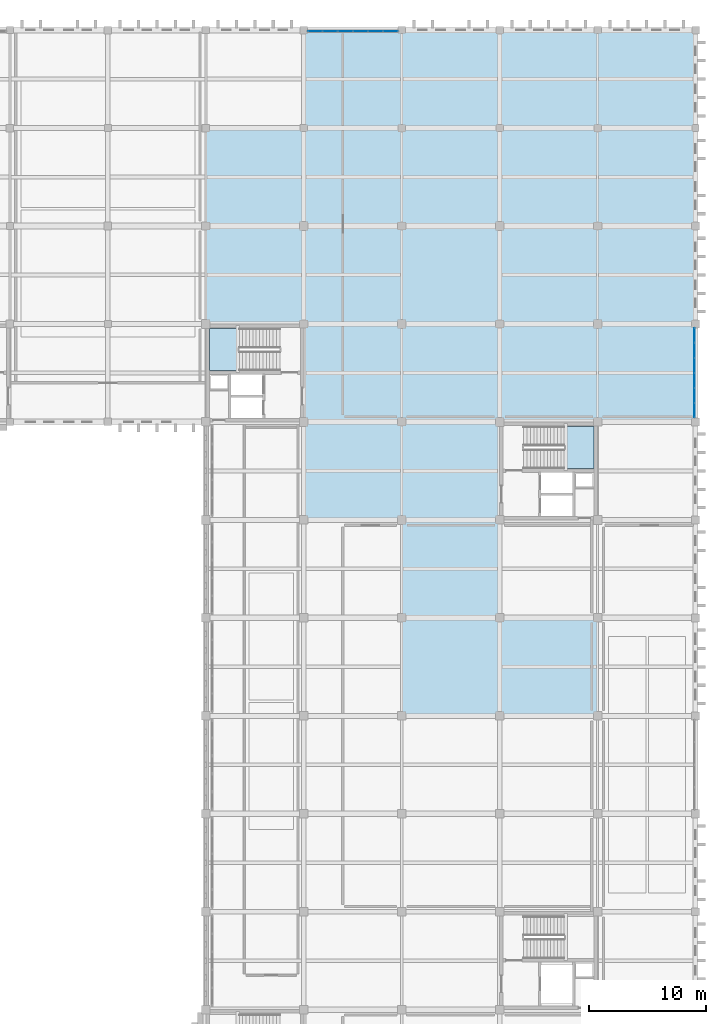
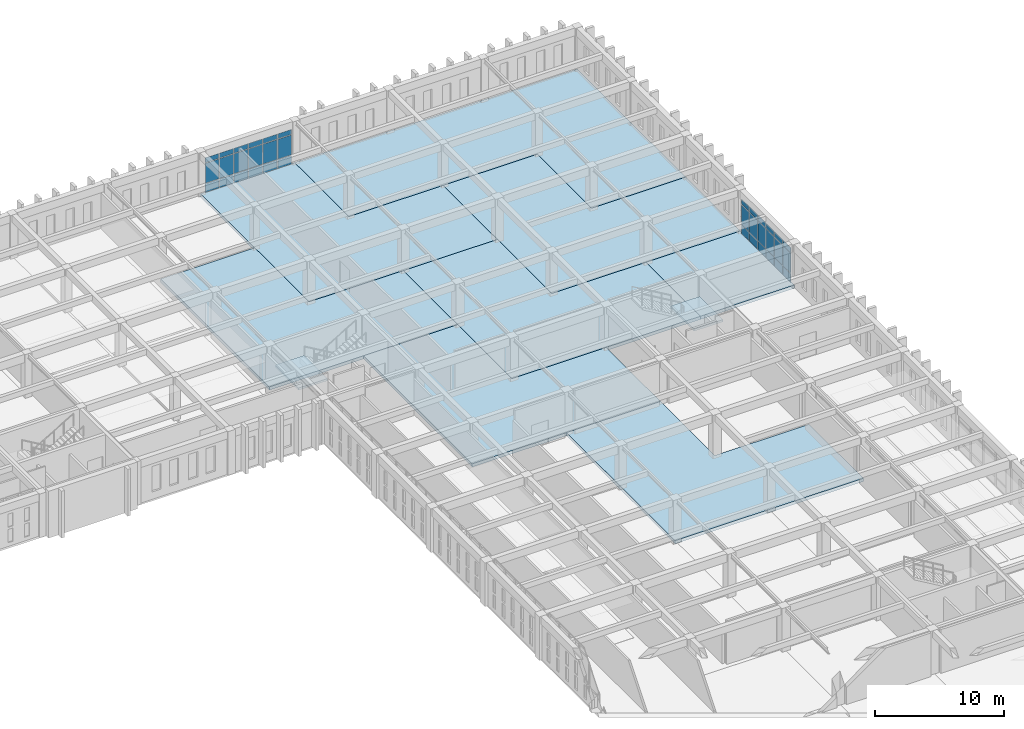
# One storey, part 129 of 192: 36 plates, 10 slabs, 4 elements without a shape of their own.
"""IFC4 building model written with IfcOpenShell, lengths in metres."""

from ifc_helpers import new_model, si_unit, direction, frame, origin, origin_2d, place, context, subcontext, project, spatial, polyline, rectangle, outline, extrude, material, layer, layer_set, type_object, element, aggregate, save


model = new_model("IFC4")

# Units and contexts
model_context = context("Model", 3, precision=1e-05, world=origin(), true_north=direction((0.0, 1.0)))
body_context = subcontext(model_context, "Body", "Model", "MODEL_VIEW")
ifc_project = project(units=[si_unit("LENGTHUNIT", "METRE"), si_unit("AREAUNIT", "SQUARE_METRE"), si_unit("VOLUMEUNIT", "CUBIC_METRE"), si_unit("PLANEANGLEUNIT", "RADIAN"), si_unit("MASSUNIT", "GRAM", prefix="KILO")], contexts=[model_context])

# Site, building, storey
site_placement = place(None, origin())
site = spatial("IfcSite", under=ifc_project, at=site_placement, CompositionType="ELEMENT")
building_placement = place(site_placement, origin())
building = spatial("IfcBuilding", under=site, at=building_placement, Name="Kveldsbrygga Polytechnic", CompositionType="ELEMENT")
storey_placement = place(building_placement, frame((0.0, 0.0, 5.43994140625)))
storey = spatial("IfcBuildingStorey", under=building, at=storey_placement, Name="L01", CompositionType="ELEMENT", Elevation=5.43994140625)

# Curtain wall, plates
ifc_material_1 = material(Name="Anodised aluminium AW-6060", Category="aluminium")
ifc_layer_1 = layer(ifc_material_1, 0.179931640625)
ifc_layer_set_1 = layer_set([ifc_layer_1], Name="Anodised aluminium AW-6060")
curtain_wall_type = type_object("IfcCurtainWallType", Name="CW-CONC-A", PredefinedType="USERDEFINED", material=ifc_layer_set_1)
curtain_wall_1_placement = place(storey_placement, origin())
curtain_wall_1 = element("IfcCurtainWall", 1, at=curtain_wall_1_placement, inside=storey, type_object=curtain_wall_type, Name="Curtain Wall CW-L01-X-16-14", ObjectType="UNITISED CURTAIN WALL", PredefinedType="USERDEFINED")
ifc_material_2 = material(Name="Insulated triple low-E glass", Category="glass")
ifc_layer_2 = layer(ifc_material_2, 0.035888671875)
ifc_layer_set_2 = layer_set([ifc_layer_2], Name="Insulated triple low-E glass")
plate_type = type_object("IfcPlateType", Name="CW-PAN-VIS36", PredefinedType="CURTAIN_PANEL", material=ifc_layer_set_2)
plate_1_placement = place(storey_placement, frame((135.37451171875, 117.5, 0.06005859375), z_axis=(0.0, 0.0, 1.0), x_axis=(1.0, 0.0, 0.0)))
plate_1 = element("IfcPlate", 2, at=plate_1_placement, type_object=plate_type, Name="CW-01 panel 1.1", PredefinedType="CURTAIN_PANEL", context=body_context, shape_type="SweptSolid", body=[
    extrude(rectangle(XDim=1.209228515625, YDim=0.035888671875, at=origin_2d()), origin(), (0.0, 0.0, 1.0), 0.81005859375),
])
plate_2_placement = place(storey_placement, frame((135.37451171875, 117.5, 0.929931640625), z_axis=(0.0, 0.0, 1.0), x_axis=(1.0, 0.0, 0.0)))
plate_2 = element("IfcPlate", 3, at=plate_2_placement, type_object=plate_type, Name="CW-01 panel 1.2", PredefinedType="CURTAIN_PANEL", context=body_context, shape_type="SweptSolid", body=[
    extrude(rectangle(XDim=1.209228515625, YDim=0.035888671875, at=origin_2d()), origin(), (0.0, 0.0, 1.0), 1.8701171875),
])
plate_3_placement = place(storey_placement, frame((135.37451171875, 117.5, 2.860107421875), z_axis=(0.0, 0.0, 1.0), x_axis=(1.0, 0.0, 0.0)))
plate_3 = element("IfcPlate", 4, at=plate_3_placement, type_object=plate_type, Name="CW-01 panel 1.3", PredefinedType="CURTAIN_PANEL", context=body_context, shape_type="SweptSolid", body=[
    extrude(rectangle(XDim=1.209228515625, YDim=0.035888671875, at=origin_2d()), origin(), (0.0, 0.0, 1.0), 0.4599609375),
])
plate_4_placement = place(storey_placement, frame((136.65869140625, 117.5, 0.06005859375), z_axis=(0.0, 0.0, 1.0), x_axis=(1.0, 0.0, 0.0)))
plate_4 = element("IfcPlate", 5, at=plate_4_placement, type_object=plate_type, Name="CW-01 panel 2.1", PredefinedType="CURTAIN_PANEL", context=body_context, shape_type="SweptSolid", body=[
    extrude(rectangle(XDim=1.2392578125, YDim=0.035888671875, at=origin_2d()), origin(), (0.0, 0.0, 1.0), 0.81005859375),
])
plate_5_placement = place(storey_placement, frame((136.65869140625, 117.5, 0.929931640625), z_axis=(0.0, 0.0, 1.0), x_axis=(1.0, 0.0, 0.0)))
plate_5 = element("IfcPlate", 6, at=plate_5_placement, type_object=plate_type, Name="CW-01 panel 2.2", PredefinedType="CURTAIN_PANEL", context=body_context, shape_type="SweptSolid", body=[
    extrude(rectangle(XDim=1.2392578125, YDim=0.035888671875, at=origin_2d()), origin(), (0.0, 0.0, 1.0), 1.8701171875),
])
plate_6_placement = place(storey_placement, frame((136.65869140625, 117.5, 2.860107421875), z_axis=(0.0, 0.0, 1.0), x_axis=(1.0, 0.0, 0.0)))
plate_6 = element("IfcPlate", 7, at=plate_6_placement, type_object=plate_type, Name="CW-01 panel 2.3", PredefinedType="CURTAIN_PANEL", context=body_context, shape_type="SweptSolid", body=[
    extrude(rectangle(XDim=1.2392578125, YDim=0.035888671875, at=origin_2d()), origin(), (0.0, 0.0, 1.0), 0.4599609375),
])
plate_7_placement = place(storey_placement, frame((137.9580078125, 117.5, 0.06005859375), z_axis=(0.0, 0.0, 1.0), x_axis=(1.0, 0.0, 0.0)))
plate_7 = element("IfcPlate", 8, at=plate_7_placement, type_object=plate_type, Name="CW-01 panel 3.1", PredefinedType="CURTAIN_PANEL", context=body_context, shape_type="SweptSolid", body=[
    extrude(rectangle(XDim=1.2392578125, YDim=0.035888671875, at=origin_2d()), origin(), (0.0, 0.0, 1.0), 0.81005859375),
])
plate_8_placement = place(storey_placement, frame((137.9580078125, 117.5, 0.929931640625), z_axis=(0.0, 0.0, 1.0), x_axis=(1.0, 0.0, 0.0)))
plate_8 = element("IfcPlate", 9, at=plate_8_placement, type_object=plate_type, Name="CW-01 panel 3.2", PredefinedType="CURTAIN_PANEL", context=body_context, shape_type="SweptSolid", body=[
    extrude(rectangle(XDim=1.2392578125, YDim=0.035888671875, at=origin_2d()), origin(), (0.0, 0.0, 1.0), 1.8701171875),
])
plate_9_placement = place(storey_placement, frame((137.9580078125, 117.5, 2.860107421875), z_axis=(0.0, 0.0, 1.0), x_axis=(1.0, 0.0, 0.0)))
plate_9 = element("IfcPlate", 10, at=plate_9_placement, type_object=plate_type, Name="CW-01 panel 3.3", PredefinedType="CURTAIN_PANEL", context=body_context, shape_type="SweptSolid", body=[
    extrude(rectangle(XDim=1.2392578125, YDim=0.035888671875, at=origin_2d()), origin(), (0.0, 0.0, 1.0), 0.4599609375),
])
plate_10_placement = place(storey_placement, frame((139.257080078125, 117.5, 0.06005859375), z_axis=(0.0, 0.0, 1.0), x_axis=(1.0, 0.0, 0.0)))
plate_10 = element("IfcPlate", 11, at=plate_10_placement, type_object=plate_type, Name="CW-01 panel 4.1", PredefinedType="CURTAIN_PANEL", context=body_context, shape_type="SweptSolid", body=[
    extrude(rectangle(XDim=1.2392578125, YDim=0.035888671875, at=origin_2d()), origin(), (0.0, 0.0, 1.0), 0.81005859375),
])
plate_11_placement = place(storey_placement, frame((139.257080078125, 117.5, 0.929931640625), z_axis=(0.0, 0.0, 1.0), x_axis=(1.0, 0.0, 0.0)))
plate_11 = element("IfcPlate", 12, at=plate_11_placement, type_object=plate_type, Name="CW-01 panel 4.2", PredefinedType="CURTAIN_PANEL", context=body_context, shape_type="SweptSolid", body=[
    extrude(rectangle(XDim=1.2392578125, YDim=0.035888671875, at=origin_2d()), origin(), (0.0, 0.0, 1.0), 1.8701171875),
])
plate_12_placement = place(storey_placement, frame((139.257080078125, 117.5, 2.860107421875), z_axis=(0.0, 0.0, 1.0), x_axis=(1.0, 0.0, 0.0)))
plate_12 = element("IfcPlate", 13, at=plate_12_placement, type_object=plate_type, Name="CW-01 panel 4.3", PredefinedType="CURTAIN_PANEL", context=body_context, shape_type="SweptSolid", body=[
    extrude(rectangle(XDim=1.2392578125, YDim=0.035888671875, at=origin_2d()), origin(), (0.0, 0.0, 1.0), 0.4599609375),
])
plate_13_placement = place(storey_placement, frame((140.55615234375, 117.5, 0.06005859375), z_axis=(0.0, 0.0, 1.0), x_axis=(1.0, 0.0, 0.0)))
plate_13 = element("IfcPlate", 14, at=plate_13_placement, type_object=plate_type, Name="CW-01 panel 5.1", PredefinedType="CURTAIN_PANEL", context=body_context, shape_type="SweptSolid", body=[
    extrude(rectangle(XDim=1.2392578125, YDim=0.035888671875, at=origin_2d()), origin(), (0.0, 0.0, 1.0), 0.81005859375),
])
plate_14_placement = place(storey_placement, frame((140.55615234375, 117.5, 0.929931640625), z_axis=(0.0, 0.0, 1.0), x_axis=(1.0, 0.0, 0.0)))
plate_14 = element("IfcPlate", 15, at=plate_14_placement, type_object=plate_type, Name="CW-01 panel 5.2", PredefinedType="CURTAIN_PANEL", context=body_context, shape_type="SweptSolid", body=[
    extrude(rectangle(XDim=1.2392578125, YDim=0.035888671875, at=origin_2d()), origin(), (0.0, 0.0, 1.0), 1.8701171875),
])
plate_15_placement = place(storey_placement, frame((140.55615234375, 117.5, 2.860107421875), z_axis=(0.0, 0.0, 1.0), x_axis=(1.0, 0.0, 0.0)))
plate_15 = element("IfcPlate", 16, at=plate_15_placement, type_object=plate_type, Name="CW-01 panel 5.3", PredefinedType="CURTAIN_PANEL", context=body_context, shape_type="SweptSolid", body=[
    extrude(rectangle(XDim=1.2392578125, YDim=0.035888671875, at=origin_2d()), origin(), (0.0, 0.0, 1.0), 0.4599609375),
])
plate_16_placement = place(storey_placement, frame((141.84033203125, 117.5, 0.06005859375), z_axis=(0.0, 0.0, 1.0), x_axis=(1.0, 0.0, 0.0)))
plate_16 = element("IfcPlate", 17, at=plate_16_placement, type_object=plate_type, Name="CW-01 panel 6.1", PredefinedType="CURTAIN_PANEL", context=body_context, shape_type="SweptSolid", body=[
    extrude(rectangle(XDim=1.209228515625, YDim=0.035888671875, at=origin_2d()), origin(), (0.0, 0.0, 1.0), 0.81005859375),
])
plate_17_placement = place(storey_placement, frame((141.84033203125, 117.5, 0.929931640625), z_axis=(0.0, 0.0, 1.0), x_axis=(1.0, 0.0, 0.0)))
plate_17 = element("IfcPlate", 18, at=plate_17_placement, type_object=plate_type, Name="CW-01 panel 6.2", PredefinedType="CURTAIN_PANEL", context=body_context, shape_type="SweptSolid", body=[
    extrude(rectangle(XDim=1.209228515625, YDim=0.035888671875, at=origin_2d()), origin(), (0.0, 0.0, 1.0), 1.8701171875),
])
plate_18_placement = place(storey_placement, frame((141.84033203125, 117.5, 2.860107421875), z_axis=(0.0, 0.0, 1.0), x_axis=(1.0, 0.0, 0.0)))
plate_18 = element("IfcPlate", 19, at=plate_18_placement, type_object=plate_type, Name="CW-01 panel 6.3", PredefinedType="CURTAIN_PANEL", context=body_context, shape_type="SweptSolid", body=[
    extrude(rectangle(XDim=1.209228515625, YDim=0.035888671875, at=origin_2d()), origin(), (0.0, 0.0, 1.0), 0.4599609375),
])
aggregate(curtain_wall_1, [plate_1, plate_2, plate_3, plate_4, plate_5, plate_6, plate_7, plate_8, plate_9, plate_10, plate_11, plate_12, plate_13, plate_14, plate_15, plate_16, plate_17, plate_18])

curtain_wall_2_placement = place(storey_placement, origin())
curtain_wall_2 = element("IfcCurtainWall", 20, at=curtain_wall_2_placement, inside=storey, type_object=curtain_wall_type, Name="Curtain Wall CW-L01-Y-20-10", ObjectType="UNITISED CURTAIN WALL", PredefinedType="USERDEFINED")
plate_19_placement = place(storey_placement, frame((167.89990234375, 84.9951171875, 0.06005859375), z_axis=(0.0, 0.0, 1.0), x_axis=(0.0, 1.0, 0.0)))
plate_19 = element("IfcPlate", 21, at=plate_19_placement, type_object=plate_type, Name="CW-01 panel 1.1", PredefinedType="CURTAIN_PANEL", context=body_context, shape_type="SweptSolid", body=[
    extrude(rectangle(XDim=1.199951171875, YDim=0.035888671875, at=origin_2d()), origin(), (0.0, 0.0, 1.0), 0.81005859375),
])
plate_20_placement = place(storey_placement, frame((167.89990234375, 84.9951171875, 0.93017578125), z_axis=(0.0, 0.0, 1.0), x_axis=(0.0, 1.0, 0.0)))
plate_20 = element("IfcPlate", 22, at=plate_20_placement, type_object=plate_type, Name="CW-01 panel 1.2", PredefinedType="CURTAIN_PANEL", context=body_context, shape_type="SweptSolid", body=[
    extrude(rectangle(XDim=1.199951171875, YDim=0.035888671875, at=origin_2d()), origin(), (0.0, 0.0, 1.0), 1.860107421875),
])
plate_21_placement = place(storey_placement, frame((167.89990234375, 84.9951171875, 2.85009765625), z_axis=(0.0, 0.0, 1.0), x_axis=(0.0, 1.0, 0.0)))
plate_21 = element("IfcPlate", 23, at=plate_21_placement, type_object=plate_type, Name="CW-01 panel 1.3", PredefinedType="CURTAIN_PANEL", context=body_context, shape_type="SweptSolid", body=[
    extrude(rectangle(XDim=1.199951171875, YDim=0.035888671875, at=origin_2d()), origin(), (0.0, 0.0, 1.0), 0.4599609375),
])
plate_22_placement = place(storey_placement, frame((167.89990234375, 86.27001953125, 0.06005859375), z_axis=(0.0, 0.0, 1.0), x_axis=(0.0, 1.0, 0.0)))
plate_22 = element("IfcPlate", 24, at=plate_22_placement, type_object=plate_type, Name="CW-01 panel 2.1", PredefinedType="CURTAIN_PANEL", context=body_context, shape_type="SweptSolid", body=[
    extrude(rectangle(XDim=1.22998046875, YDim=0.035888671875, at=origin_2d()), origin(), (0.0, 0.0, 1.0), 0.81005859375),
])
plate_23_placement = place(storey_placement, frame((167.89990234375, 86.27001953125, 0.93017578125), z_axis=(0.0, 0.0, 1.0), x_axis=(0.0, 1.0, 0.0)))
plate_23 = element("IfcPlate", 25, at=plate_23_placement, type_object=plate_type, Name="CW-01 panel 2.2", PredefinedType="CURTAIN_PANEL", context=body_context, shape_type="SweptSolid", body=[
    extrude(rectangle(XDim=1.22998046875, YDim=0.035888671875, at=origin_2d()), origin(), (0.0, 0.0, 1.0), 1.860107421875),
])
plate_24_placement = place(storey_placement, frame((167.89990234375, 86.27001953125, 2.85009765625), z_axis=(0.0, 0.0, 1.0), x_axis=(0.0, 1.0, 0.0)))
plate_24 = element("IfcPlate", 26, at=plate_24_placement, type_object=plate_type, Name="CW-01 panel 2.3", PredefinedType="CURTAIN_PANEL", context=body_context, shape_type="SweptSolid", body=[
    extrude(rectangle(XDim=1.22998046875, YDim=0.035888671875, at=origin_2d()), origin(), (0.0, 0.0, 1.0), 0.4599609375),
])
plate_25_placement = place(storey_placement, frame((167.89990234375, 87.56005859375, 0.06005859375), z_axis=(0.0, 0.0, 1.0), x_axis=(0.0, 1.0, 0.0)))
plate_25 = element("IfcPlate", 27, at=plate_25_placement, type_object=plate_type, Name="CW-01 panel 3.1", PredefinedType="CURTAIN_PANEL", context=body_context, shape_type="SweptSolid", body=[
    extrude(rectangle(XDim=1.22998046875, YDim=0.035888671875, at=origin_2d()), origin(), (0.0, 0.0, 1.0), 0.81005859375),
])
plate_26_placement = place(storey_placement, frame((167.89990234375, 87.56005859375, 0.93017578125), z_axis=(0.0, 0.0, 1.0), x_axis=(0.0, 1.0, 0.0)))
plate_26 = element("IfcPlate", 28, at=plate_26_placement, type_object=plate_type, Name="CW-01 panel 3.2", PredefinedType="CURTAIN_PANEL", context=body_context, shape_type="SweptSolid", body=[
    extrude(rectangle(XDim=1.22998046875, YDim=0.035888671875, at=origin_2d()), origin(), (0.0, 0.0, 1.0), 1.860107421875),
])
plate_27_placement = place(storey_placement, frame((167.89990234375, 87.56005859375, 2.85009765625), z_axis=(0.0, 0.0, 1.0), x_axis=(0.0, 1.0, 0.0)))
plate_27 = element("IfcPlate", 29, at=plate_27_placement, type_object=plate_type, Name="CW-01 panel 3.3", PredefinedType="CURTAIN_PANEL", context=body_context, shape_type="SweptSolid", body=[
    extrude(rectangle(XDim=1.22998046875, YDim=0.035888671875, at=origin_2d()), origin(), (0.0, 0.0, 1.0), 0.4599609375),
])
plate_28_placement = place(storey_placement, frame((167.89990234375, 88.85009765625, 0.06005859375), z_axis=(0.0, 0.0, 1.0), x_axis=(0.0, 1.0, 0.0)))
plate_28 = element("IfcPlate", 30, at=plate_28_placement, type_object=plate_type, Name="CW-01 panel 4.1", PredefinedType="CURTAIN_PANEL", context=body_context, shape_type="SweptSolid", body=[
    extrude(rectangle(XDim=1.22998046875, YDim=0.035888671875, at=origin_2d()), origin(), (0.0, 0.0, 1.0), 0.81005859375),
])
plate_29_placement = place(storey_placement, frame((167.89990234375, 88.85009765625, 0.93017578125), z_axis=(0.0, 0.0, 1.0), x_axis=(0.0, 1.0, 0.0)))
plate_29 = element("IfcPlate", 31, at=plate_29_placement, type_object=plate_type, Name="CW-01 panel 4.2", PredefinedType="CURTAIN_PANEL", context=body_context, shape_type="SweptSolid", body=[
    extrude(rectangle(XDim=1.22998046875, YDim=0.035888671875, at=origin_2d()), origin(), (0.0, 0.0, 1.0), 1.860107421875),
])
plate_30_placement = place(storey_placement, frame((167.89990234375, 88.85009765625, 2.85009765625), z_axis=(0.0, 0.0, 1.0), x_axis=(0.0, 1.0, 0.0)))
plate_30 = element("IfcPlate", 32, at=plate_30_placement, type_object=plate_type, Name="CW-01 panel 4.3", PredefinedType="CURTAIN_PANEL", context=body_context, shape_type="SweptSolid", body=[
    extrude(rectangle(XDim=1.22998046875, YDim=0.035888671875, at=origin_2d()), origin(), (0.0, 0.0, 1.0), 0.4599609375),
])
plate_31_placement = place(storey_placement, frame((167.89990234375, 90.139892578125, 0.06005859375), z_axis=(0.0, 0.0, 1.0), x_axis=(0.0, 1.0, 0.0)))
plate_31 = element("IfcPlate", 33, at=plate_31_placement, type_object=plate_type, Name="CW-01 panel 5.1", PredefinedType="CURTAIN_PANEL", context=body_context, shape_type="SweptSolid", body=[
    extrude(rectangle(XDim=1.22998046875, YDim=0.035888671875, at=origin_2d()), origin(), (0.0, 0.0, 1.0), 0.81005859375),
])
plate_32_placement = place(storey_placement, frame((167.89990234375, 90.139892578125, 0.93017578125), z_axis=(0.0, 0.0, 1.0), x_axis=(0.0, 1.0, 0.0)))
plate_32 = element("IfcPlate", 34, at=plate_32_placement, type_object=plate_type, Name="CW-01 panel 5.2", PredefinedType="CURTAIN_PANEL", context=body_context, shape_type="SweptSolid", body=[
    extrude(rectangle(XDim=1.22998046875, YDim=0.035888671875, at=origin_2d()), origin(), (0.0, 0.0, 1.0), 1.860107421875),
])
plate_33_placement = place(storey_placement, frame((167.89990234375, 90.139892578125, 2.85009765625), z_axis=(0.0, 0.0, 1.0), x_axis=(0.0, 1.0, 0.0)))
plate_33 = element("IfcPlate", 35, at=plate_33_placement, type_object=plate_type, Name="CW-01 panel 5.3", PredefinedType="CURTAIN_PANEL", context=body_context, shape_type="SweptSolid", body=[
    extrude(rectangle(XDim=1.22998046875, YDim=0.035888671875, at=origin_2d()), origin(), (0.0, 0.0, 1.0), 0.4599609375),
])
plate_34_placement = place(storey_placement, frame((167.89990234375, 91.4150390625, 0.06005859375), z_axis=(0.0, 0.0, 1.0), x_axis=(0.0, 1.0, 0.0)))
plate_34 = element("IfcPlate", 36, at=plate_34_placement, type_object=plate_type, Name="CW-01 panel 6.1", PredefinedType="CURTAIN_PANEL", context=body_context, shape_type="SweptSolid", body=[
    extrude(rectangle(XDim=1.199951171875, YDim=0.035888671875, at=origin_2d()), origin(), (0.0, 0.0, 1.0), 0.81005859375),
])
plate_35_placement = place(storey_placement, frame((167.89990234375, 91.4150390625, 0.93017578125), z_axis=(0.0, 0.0, 1.0), x_axis=(0.0, 1.0, 0.0)))
plate_35 = element("IfcPlate", 37, at=plate_35_placement, type_object=plate_type, Name="CW-01 panel 6.2", PredefinedType="CURTAIN_PANEL", context=body_context, shape_type="SweptSolid", body=[
    extrude(rectangle(XDim=1.199951171875, YDim=0.035888671875, at=origin_2d()), origin(), (0.0, 0.0, 1.0), 1.860107421875),
])
plate_36_placement = place(storey_placement, frame((167.89990234375, 91.4150390625, 2.85009765625), z_axis=(0.0, 0.0, 1.0), x_axis=(0.0, 1.0, 0.0)))
plate_36 = element("IfcPlate", 38, at=plate_36_placement, type_object=plate_type, Name="CW-01 panel 6.3", PredefinedType="CURTAIN_PANEL", context=body_context, shape_type="SweptSolid", body=[
    extrude(rectangle(XDim=1.199951171875, YDim=0.035888671875, at=origin_2d()), origin(), (0.0, 0.0, 1.0), 0.4599609375),
])
aggregate(curtain_wall_2, [plate_19, plate_20, plate_21, plate_22, plate_23, plate_24, plate_25, plate_26, plate_27, plate_28, plate_29, plate_30, plate_31, plate_32, plate_33, plate_34, plate_35, plate_36])

# Slabs
ifc_material_3 = material(Name="Concrete C35/45", Category="concrete")
ifc_layer_3 = layer(ifc_material_3, 0.300048828125)
ifc_layer_set_3 = layer_set([ifc_layer_3], Name="Concrete C35/45")
slab_type_1 = type_object("IfcSlabType", Name="SLB-LAB-300", PredefinedType="FLOOR", material=ifc_layer_set_3)
slab_1_placement = place(storey_placement, frame((0.0, 0.0, -0.300048828125)))
element("IfcSlab", 39, at=slab_1_placement, inside=storey, type_object=slab_type_1, Name="Slab SLB-L01-V4-L07-1", PredefinedType="FLOOR", context=body_context, shape_type="SweptSolid", body=[
    extrude(outline(polyline([(126.0, 92.39990234375), (126.0, 100.800048828125), (126.0, 109.199951171875), (134.39990234375, 109.199951171875), (134.39990234375, 100.800048828125), (142.800048828125, 100.800048828125), (142.800048828125, 92.39990234375), (134.39990234375, 92.39990234375), (126.0, 92.39990234375)])), origin(), (0.0, 0.0, 1.0), 0.300048828125),
])
slab_2_placement = place(storey_placement, frame((0.0, 0.0, -0.300048828125)))
element("IfcSlab", 40, at=slab_2_placement, inside=storey, type_object=slab_type_1, Name="Slab SLB-L01-V4-L09-1", PredefinedType="FLOOR", context=body_context, shape_type="SweptSolid", body=[
    extrude(outline(polyline([(134.39990234375, 75.60009765625), (134.39990234375, 84.0), (134.39990234375, 92.39990234375), (142.800048828125, 92.39990234375), (142.800048828125, 84.0), (151.199951171875, 84.0), (151.199951171875, 75.60009765625), (142.800048828125, 75.60009765625), (134.39990234375, 75.60009765625)])), origin(), (0.0, 0.0, 1.0), 0.300048828125),
])
slab_3_placement = place(storey_placement, frame((0.0, 0.0, -0.300048828125)))
element("IfcSlab", 41, at=slab_3_placement, inside=storey, type_object=slab_type_1, Name="Slab SLB-L01-V4-L10-1", PredefinedType="FLOOR", context=body_context, shape_type="SweptSolid", body=[
    extrude(outline(polyline([(134.39990234375, 100.800048828125), (134.39990234375, 109.199951171875), (134.39990234375, 117.60009765625), (142.800048828125, 117.60009765625), (142.800048828125, 109.199951171875), (151.199951171875, 109.199951171875), (151.199951171875, 100.800048828125), (142.800048828125, 100.800048828125), (134.39990234375, 100.800048828125)])), origin(), (0.0, 0.0, 1.0), 0.300048828125),
])
slab_4_placement = place(storey_placement, frame((0.0, 0.0, -0.300048828125)))
element("IfcSlab", 42, at=slab_4_placement, inside=storey, type_object=slab_type_1, Name="Slab SLB-L01-V4-L13-1", PredefinedType="FLOOR", context=body_context, shape_type="SweptSolid", body=[
    extrude(outline(polyline([(142.800048828125, 58.800048828125), (142.800048828125, 67.199951171875), (142.800048828125, 75.60009765625), (151.199951171875, 75.60009765625), (151.199951171875, 67.199951171875), (159.60009765625, 67.199951171875), (159.60009765625, 58.800048828125), (151.199951171875, 58.800048828125), (142.800048828125, 58.800048828125)])), origin(), (0.0, 0.0, 1.0), 0.300048828125),
])
slab_5_placement = place(storey_placement, frame((0.0, 0.0, -0.300048828125)))
element("IfcSlab", 43, at=slab_5_placement, inside=storey, type_object=slab_type_1, Name="Slab SLB-L01-V4-L14-1", PredefinedType="FLOOR", context=body_context, shape_type="SweptSolid", body=[
    extrude(outline(polyline([(142.800048828125, 84.0), (142.800048828125, 92.39990234375), (142.800048828125, 100.800048828125), (151.199951171875, 100.800048828125), (151.199951171875, 92.39990234375), (159.60009765625, 92.39990234375), (159.60009765625, 84.0), (151.199951171875, 84.0), (142.800048828125, 84.0)])), origin(), (0.0, 0.0, 1.0), 0.300048828125),
])
slab_6_placement = place(storey_placement, frame((0.0, 0.0, -0.300048828125)))
element("IfcSlab", 44, at=slab_6_placement, inside=storey, type_object=slab_type_1, Name="Slab SLB-L01-V4-L16-1", PredefinedType="FLOOR", context=body_context, shape_type="SweptSolid", body=[
    extrude(outline(polyline([(151.199951171875, 92.39990234375), (151.199951171875, 100.800048828125), (151.199951171875, 109.199951171875), (159.60009765625, 109.199951171875), (159.60009765625, 100.800048828125), (168.0, 100.800048828125), (168.0, 92.39990234375), (159.60009765625, 92.39990234375), (151.199951171875, 92.39990234375)])), origin(), (0.0, 0.0, 1.0), 0.300048828125),
])
slab_7_placement = place(storey_placement, frame((0.0, 0.0, -0.300048828125)))
element("IfcSlab", 45, at=slab_7_placement, inside=storey, type_object=slab_type_1, Name="Slab SLB-L01-V4-Z9-2", PredefinedType="FLOOR", context=body_context, shape_type="SweptSolid", body=[
    extrude(outline(polyline([(168.0, 92.39990234375), (168.0, 84.0), (159.60009765625, 84.0), (159.60009765625, 92.39990234375), (168.0, 92.39990234375)])), origin(), (0.0, 0.0, 1.0), 0.300048828125),
])
slab_8_placement = place(storey_placement, frame((0.0, 0.0, -0.300048828125)))
element("IfcSlab", 46, at=slab_8_placement, inside=storey, type_object=slab_type_1, Name="Slab SLB-L01-V4-Z9-3", PredefinedType="FLOOR", context=body_context, shape_type="SweptSolid", body=[
    extrude(outline(polyline([(168.0, 100.800048828125), (159.60009765625, 100.800048828125), (159.60009765625, 109.199951171875), (151.199951171875, 109.199951171875), (142.800048828125, 109.199951171875), (142.800048828125, 117.60009765625), (151.199951171875, 117.60009765625), (159.60009765625, 117.60009765625), (168.0, 117.60009765625), (168.0, 109.199951171875), (168.0, 100.800048828125)])), origin(), (0.0, 0.0, 1.0), 0.300048828125),
])

# Stair, slab
stair_type = type_object("IfcStairType", Name="STR-CORE-442", PredefinedType="HALF_TURN_STAIR", material=ifc_material_3)
stair_1_placement = place(storey_placement, origin())
stair_1 = element("IfcStair", 47, at=stair_1_placement, inside=storey, type_object=stair_type, Name="L01 Core C2 Escape Stair ST-2", PredefinedType="HALF_TURN_STAIR")
ifc_layer_4 = layer(ifc_material_3, 0.199951171875)
ifc_layer_set_4 = layer_set([ifc_layer_4], Name="Concrete C35/45")
slab_type_2 = type_object("IfcSlabType", Name="SLB-LANDING-200", PredefinedType="LANDING", material=ifc_layer_set_4)
slab_9_placement = place(storey_placement, frame((0.0, 0.0, 2.010009765625)))
slab_9 = element("IfcSlab", 48, at=slab_9_placement, type_object=slab_type_2, Name="ST-2 landing 1", PredefinedType="LANDING", context=body_context, shape_type="SweptSolid", body=[
    extrude(outline(polyline([(128.8701171875, 92.0), (126.300048828125, 92.0), (126.300048828125, 88.39990234375), (128.8701171875, 88.39990234375), (128.8701171875, 92.0)])), origin(), (0.0, 0.0, 1.0), 0.199951171875),
])
aggregate(stair_1, [slab_9])

stair_2_placement = place(storey_placement, origin())
stair_2 = element("IfcStair", 49, at=stair_2_placement, inside=storey, type_object=stair_type, Name="L01 Core C4 Escape Stair ST-4", PredefinedType="HALF_TURN_STAIR")
slab_10_placement = place(storey_placement, frame((0.0, 0.0, 2.010009765625)))
slab_10 = element("IfcSlab", 50, at=slab_10_placement, type_object=slab_type_2, Name="ST-4 landing 1", PredefinedType="LANDING", context=body_context, shape_type="SweptSolid", body=[
    extrude(outline(polyline([(156.72998046875, 80.0), (159.300048828125, 80.0), (159.300048828125, 83.60009765625), (156.72998046875, 83.60009765625), (156.72998046875, 80.0)])), origin(), (0.0, 0.0, 1.0), 0.199951171875),
])
aggregate(stair_2, [slab_10])

save(model, "model.ifc")
